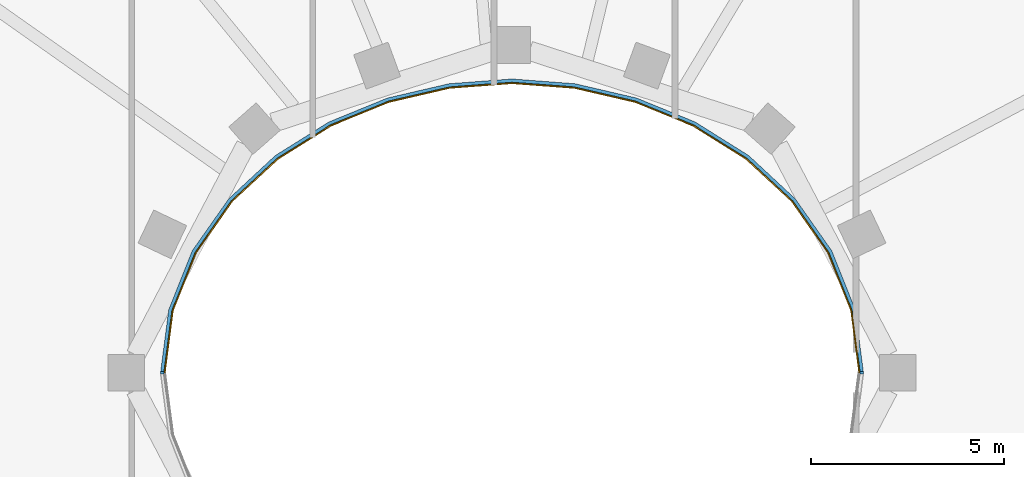
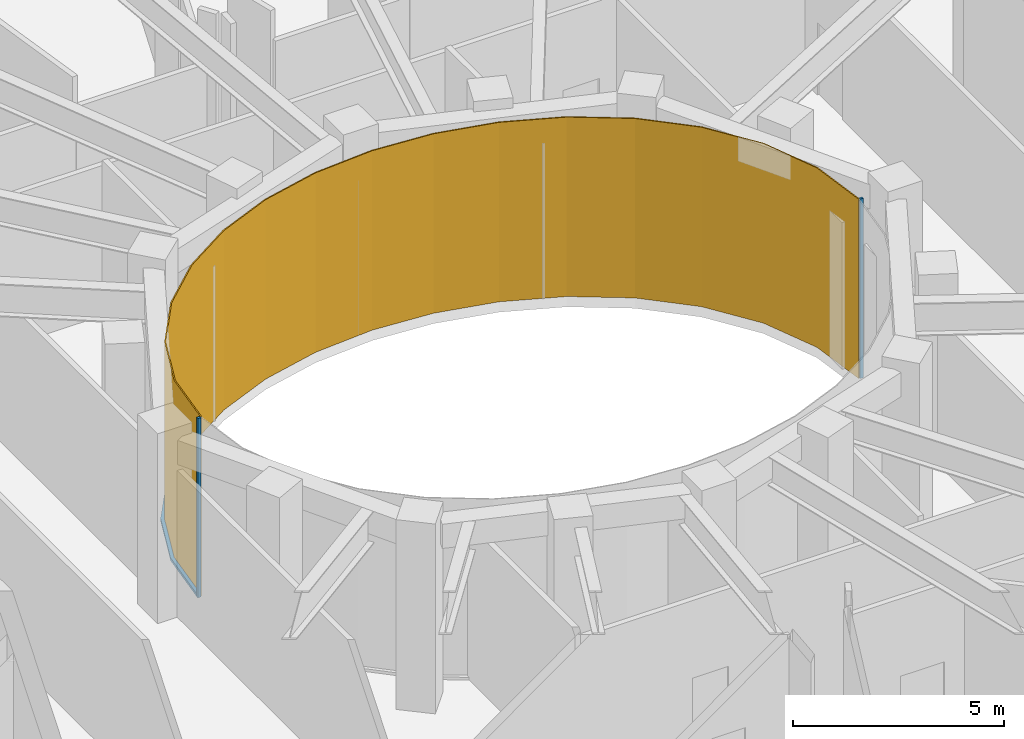
# One storey, part 15 of 23: 3 members, 1 curtain wall.
"""IFC4 building model written with IfcOpenShell, lengths in metres."""

from ifc_helpers import new_model, si_unit, direction, frame, origin, origin_2d, place, context, subcontext, project, spatial, polyline, rectangle, outline, extrude, material, layer, layer_set, material_profile, profile_set, type_object, element, aggregate, save


model = new_model("IFC4")

# Units and contexts
model_context = context("Model", 3, precision=1e-05, world=origin(), true_north=direction((0.0, 1.0)))
body_context = subcontext(model_context, "Body", "Model", "MODEL_VIEW")
ifc_project = project(units=[si_unit("LENGTHUNIT", "METRE"), si_unit("AREAUNIT", "SQUARE_METRE"), si_unit("VOLUMEUNIT", "CUBIC_METRE"), si_unit("PLANEANGLEUNIT", "RADIAN"), si_unit("MASSUNIT", "GRAM", prefix="KILO")], contexts=[model_context])

# Member
ifc_material_1 = material(Name="Steel S355 fire-resisting frame", Category="steel")
ifc_material_profile = material_profile(ifc_material_1, rectangle(XDim=0.090087890625, YDim=0.06005859375, at=origin_2d()), Name="90x60")
ifc_profile_set = profile_set([ifc_material_profile], Name="Steel S355 fire-resisting frame")
member_type_1 = type_object("IfcMemberType", Name="ENV-MULLION-W-90", PredefinedType="MULLION", material=ifc_profile_set)
site_placement = place(None, origin())
building_placement = place(site_placement, origin())
storey_placement = place(building_placement, frame((0.0, 0.0, 285.5)))
member_1_placement = place(storey_placement, frame((9.076904296875, 0.0, 0.0), z_axis=(0.0, 0.0, 1.0), x_axis=(1.0, 0.0, 0.0)))
member_1 = element("IfcMember", 1, at=member_1_placement, type_object=member_type_1, Name="Mullion W well vertex 01", PredefinedType="MULLION", context=body_context, shape_type="SweptSolid", body=[
    extrude(rectangle(XDim=0.090087890625, YDim=0.06005859375, at=origin_2d()), origin(), (0.0, 0.0, 1.0), 5.199951171875),
])

member_2_placement = place(storey_placement, frame((-9.076904296875, 0.0, 0.0), z_axis=(0.0, 0.0, 1.0), x_axis=(-1.0, 0.0, 0.0)))
member_2 = element("IfcMember", 2, at=member_2_placement, type_object=member_type_1, Name="Mullion W well vertex 17", PredefinedType="MULLION", context=body_context, shape_type="SweptSolid", body=[
    extrude(rectangle(XDim=0.090087890625, YDim=0.06005859375, at=origin_2d()), origin(), (0.0, 0.0, 1.0), 5.199951171875),
])

ifc_material_2 = material(Name="Steel S355 fire-resisting frame", Category="steel")
member_type_2 = type_object("IfcMemberType", Name="ENV-TRANSOM-W", PredefinedType="USERDEFINED", material=ifc_material_2)
member_3_placement = place(storey_placement, origin())
member_3 = element("IfcMember", 3, at=member_3_placement, type_object=member_type_2, Name="Transom W well 01-17", ObjectType="TRANSOM", PredefinedType="USERDEFINED", context=body_context, shape_type="SweptSolid", body=[
    extrude(outline(polyline([(9.119384765625, 0.02783203125), (8.910400390625, 1.63623046875), (8.29833984375, 3.167236328125), (7.35107421875, 4.5146484375), (6.1455078125, 5.6337890625), (4.75341796875, 6.50634765625), (3.233642578125, 7.127685546875), (1.635498046875, 7.498779296875), (0.0, 7.622314453125), (-1.635498046875, 7.498779296875), (-3.233642578125, 7.127685546875), (-4.75341796875, 6.50634765625), (-6.1455078125, 5.6337890625), (-7.35107421875, 4.5146484375), (-8.29833984375, 3.167236328125), (-8.910400390625, 1.63623046875), (-9.119384765625, 0.02783203125), (-9.02880859375, 0.02783203125), (-8.822509765625, 1.61328125), (-8.21875, 3.124267578125), (-7.282958984375, 4.455078125), (-6.090576171875, 5.56201171875), (-4.712158203125, 6.426025390625), (-3.206298828125, 7.04150390625), (-1.621826171875, 7.40966796875), (0.0, 7.531982421875), (1.621826171875, 7.40966796875), (3.206298828125, 7.04150390625), (4.712158203125, 6.426025390625), (6.090576171875, 5.56201171875), (7.282958984375, 4.455078125), (8.21875, 3.124267578125), (8.822509765625, 1.61328125), (9.02880859375, 0.02783203125), (9.119384765625, 0.02783203125)])), origin(), (0.0, 0.0, 1.0), 0.080078125),
])

# Site, building, storey
site = spatial("IfcSite", under=ifc_project, at=site_placement, CompositionType="ELEMENT")
building = spatial("IfcBuilding", under=site, at=building_placement, Name="Noorbagh Ring Tower", CompositionType="ELEMENT")
storey = spatial("IfcBuildingStorey", under=building, at=storey_placement, Name="L61", CompositionType="ELEMENT", Elevation=285.5)

# Curtain wall
ifc_material_3 = material(Name="Glass fire-resisting E60 laminated", Category="glass")
ifc_layer = layer(ifc_material_3, 0.031982421875)
ifc_layer_set = layer_set([ifc_layer], Name="Glass fire-resisting E60 laminated")
curtain_wall_type = type_object("IfcCurtainWallType", Name="ENV-CW-W", PredefinedType="NOTDEFINED", material=ifc_layer_set)
curtain_wall_placement = place(storey_placement, origin())
curtain_wall = element("IfcCurtainWall", 4, at=curtain_wall_placement, inside=storey, type_object=curtain_wall_type, Name="Curtain wall W W01", PredefinedType="NOTDEFINED", context=body_context, shape_type="SweptSolid", body=[
    extrude(outline(polyline([(9.0322265625, 0.0), (8.822509765625, 1.61328125), (8.21875, 3.124267578125), (7.282958984375, 4.455078125), (6.090576171875, 5.56201171875), (4.712158203125, 6.426025390625), (3.206298828125, 7.04150390625), (1.621826171875, 7.40966796875), (0.0, 7.531982421875), (-1.621826171875, 7.40966796875), (-3.206298828125, 7.04150390625), (-4.712158203125, 6.426025390625), (-6.090576171875, 5.56201171875), (-7.282958984375, 4.455078125), (-8.21875, 3.124267578125), (-8.822509765625, 1.61328125), (-9.0322265625, 0.0), (-9.0, 0.0), (-8.79150390625, 1.605224609375), (-8.1904296875, 3.10888671875), (-7.2587890625, 4.43408203125), (-6.071044921875, 5.53662109375), (-4.697509765625, 6.3974609375), (-3.196533203125, 7.010986328125), (-1.6171875, 7.3779296875), (0.0, 7.5), (1.6171875, 7.3779296875), (3.196533203125, 7.010986328125), (4.697509765625, 6.3974609375), (6.071044921875, 5.53662109375), (7.2587890625, 4.43408203125), (8.1904296875, 3.10888671875), (8.79150390625, 1.605224609375), (9.0, 0.0), (9.0322265625, 0.0)])), origin(), (0.0, 0.0, 1.0), 5.199951171875),
])

aggregate(curtain_wall, [member_1, member_2, member_3])

save(model, "model.ifc")
